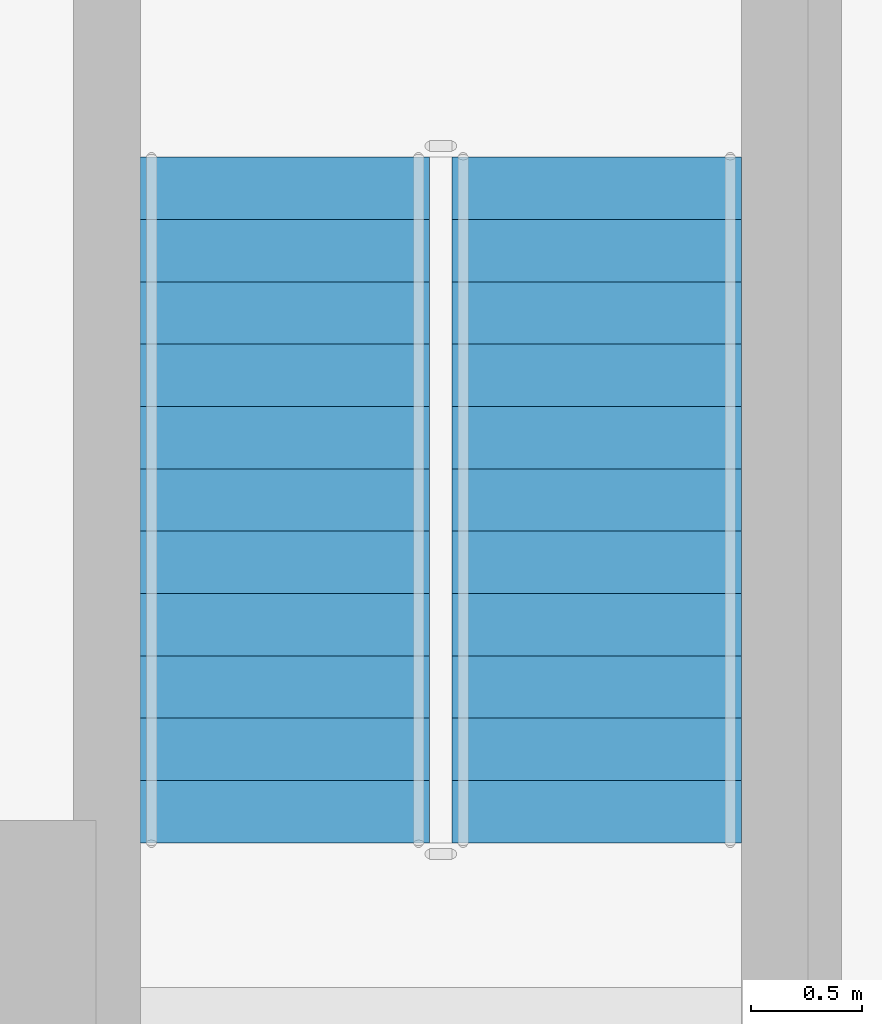
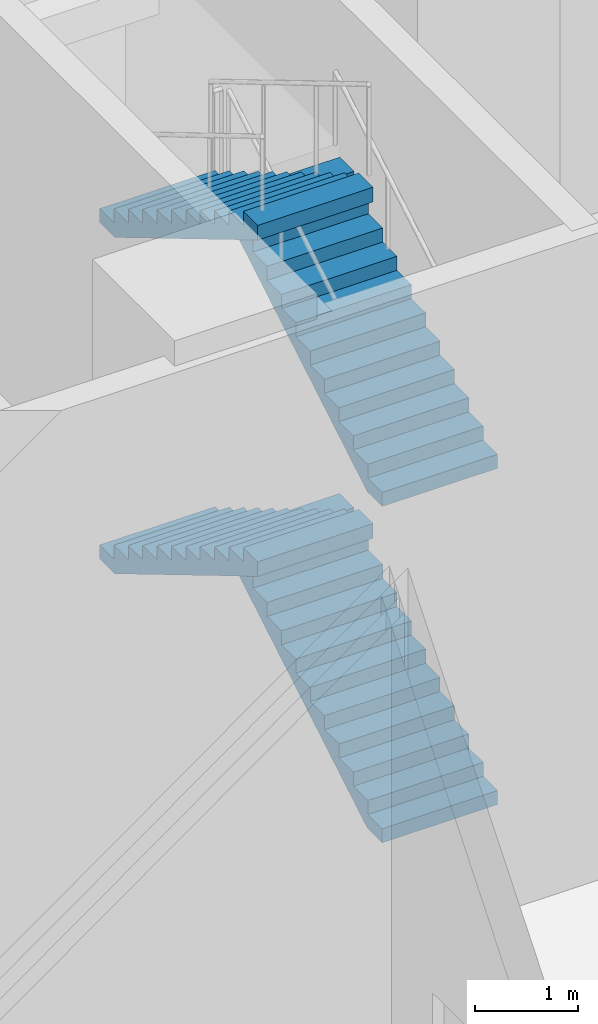
# One storey, part 43 of 54: 4 stair flights, 1 element without a shape of its own.
"""IFC4 building model written with IfcOpenShell, lengths in metres."""

from ifc_helpers import new_model, si_unit, direction, frame, origin, place, context, subcontext, project, spatial, triangles, source, transform, mapped, material, type_object, element, aggregate, save


model = new_model("IFC4")

# Units and contexts
model_context = context("Model", 3, precision=1e-05, world=origin(), true_north=direction((0.0, 1.0)))
body_context = subcontext(model_context, "Body", "Model", "MODEL_VIEW")
ifc_project = project(units=[si_unit("LENGTHUNIT", "METRE"), si_unit("AREAUNIT", "SQUARE_METRE"), si_unit("VOLUMEUNIT", "CUBIC_METRE"), si_unit("PLANEANGLEUNIT", "RADIAN"), si_unit("MASSUNIT", "GRAM", prefix="KILO")], contexts=[model_context])

# Site, building, storey
site_placement = place(None, origin())
site = spatial("IfcSite", under=ifc_project, at=site_placement, CompositionType="ELEMENT")
building_placement = place(site_placement, origin())
building = spatial("IfcBuilding", under=site, at=building_placement, Name="Ogive Portal Towers", CompositionType="ELEMENT")
storey_placement = place(building_placement, origin())
storey = spatial("IfcBuildingStorey", under=building, at=storey_placement, Name="L00", CompositionType="ELEMENT", Elevation=0.0)

# Stair, stair flights
ifc_material = material(Name="Concrete C40/50", Category="concrete")
stair_type = type_object("IfcStairType", Name="INT-STAIR", PredefinedType="HALF_TURN_STAIR", material=ifc_material)
stair_placement = place(storey_placement, origin())
stair = element("IfcStair", 1, at=stair_placement, inside=storey, type_object=stair_type, Name="L00 Exit Stair ST-A3", PredefinedType="HALF_TURN_STAIR")
stair_flight_type = type_object("IfcStairFlightType", Name="INT-FLIGHT", PredefinedType="STRAIGHT", material=ifc_material)
shared_shape = source(origin(), body_context, "Body", "Tessellation", [
    triangles([(0.0, -0.650146484375, 0.0), (0.0, -0.376220703125, 0.0), (0.0, -0.192626953125, 0.0), (0.0, -0.081298828125, 0.0), (0.0, -0.024169921875, 0.0), (0.0, -0.003173828125, 0.0), (0.0, 0.0, 0.0), (0.0, 0.0029296875, 0.0), (0.0, 0.02392578125, 0.0), (0.0, 0.0810546875, 0.0), (0.0, 0.1923828125, 0.0), (0.0, 0.3759765625, 0.0), (0.0, 0.64990234375, 0.0), (0.0, -0.650146484375, 0.166748046875), (0.0, -0.376220703125, 0.166748046875), (0.0, -0.192626953125, 0.166748046875), (0.0, -0.081298828125, 0.166748046875), (0.0, -0.024169921875, 0.166748046875), (0.0, -0.003173828125, 0.166748046875), (0.0, 0.0, 0.166748046875), (0.0, 0.0029296875, 0.166748046875), (0.0, 0.02392578125, 0.166748046875), (0.0, 0.0810546875, 0.166748046875), (0.0, 0.1923828125, 0.166748046875), (0.0, 0.3759765625, 0.166748046875), (0.0, 0.64990234375, 0.166748046875), (0.280029296875, -0.650146484375, 0.166748046875), (0.280029296875, -0.376220703125, 0.166748046875), (0.280029296875, -0.192626953125, 0.166748046875), (0.280029296875, -0.081298828125, 0.166748046875), (0.280029296875, -0.024169921875, 0.166748046875), (0.280029296875, -0.003173828125, 0.166748046875), (0.280029296875, 0.0, 0.166748046875), (0.280029296875, 0.0029296875, 0.166748046875), (0.280029296875, 0.02392578125, 0.166748046875), (0.280029296875, 0.0810546875, 0.166748046875), (0.280029296875, 0.1923828125, 0.166748046875), (0.280029296875, 0.3759765625, 0.166748046875), (0.280029296875, 0.64990234375, 0.166748046875), (0.280029296875, -0.650146484375, 0.333251953125), (0.280029296875, -0.376220703125, 0.333251953125), (0.280029296875, -0.192626953125, 0.333251953125), (0.280029296875, -0.081298828125, 0.333251953125), (0.280029296875, -0.024169921875, 0.333251953125), (0.280029296875, -0.003173828125, 0.333251953125), (0.280029296875, 0.0, 0.333251953125), (0.280029296875, 0.0029296875, 0.333251953125), (0.280029296875, 0.02392578125, 0.333251953125), (0.280029296875, 0.0810546875, 0.333251953125), (0.280029296875, 0.1923828125, 0.333251953125), (0.280029296875, 0.3759765625, 0.333251953125), (0.280029296875, 0.64990234375, 0.333251953125), (0.56005859375, -0.650146484375, 0.333251953125), (0.56005859375, -0.376220703125, 0.333251953125), (0.56005859375, -0.192626953125, 0.333251953125), (0.56005859375, -0.081298828125, 0.333251953125), (0.56005859375, -0.024169921875, 0.333251953125), (0.56005859375, -0.003173828125, 0.333251953125), (0.56005859375, 0.0, 0.333251953125), (0.56005859375, 0.0029296875, 0.333251953125), (0.56005859375, 0.02392578125, 0.333251953125), (0.56005859375, 0.0810546875, 0.333251953125), (0.56005859375, 0.1923828125, 0.333251953125), (0.56005859375, 0.3759765625, 0.333251953125), (0.56005859375, 0.64990234375, 0.333251953125), (0.56005859375, -0.650146484375, 0.5), (0.56005859375, -0.376220703125, 0.5), (0.56005859375, -0.192626953125, 0.5), (0.56005859375, -0.081298828125, 0.5), (0.56005859375, -0.024169921875, 0.5), (0.56005859375, -0.003173828125, 0.5), (0.56005859375, 0.0, 0.5), (0.56005859375, 0.0029296875, 0.5), (0.56005859375, 0.02392578125, 0.5), (0.56005859375, 0.0810546875, 0.5), (0.56005859375, 0.1923828125, 0.5), (0.56005859375, 0.3759765625, 0.5), (0.56005859375, 0.64990234375, 0.5), (0.840087890625, -0.650146484375, 0.5), (0.840087890625, -0.376220703125, 0.5), (0.840087890625, -0.192626953125, 0.5), (0.840087890625, -0.081298828125, 0.5), (0.840087890625, -0.024169921875, 0.5), (0.840087890625, -0.003173828125, 0.5), (0.840087890625, 0.0, 0.5), (0.840087890625, 0.0029296875, 0.5), (0.840087890625, 0.02392578125, 0.5), (0.840087890625, 0.0810546875, 0.5), (0.840087890625, 0.1923828125, 0.5), (0.840087890625, 0.3759765625, 0.5), (0.840087890625, 0.64990234375, 0.5), (0.840087890625, -0.650146484375, 0.666748046875), (0.840087890625, -0.376220703125, 0.666748046875), (0.840087890625, -0.192626953125, 0.666748046875), (0.840087890625, -0.081298828125, 0.666748046875), (0.840087890625, -0.024169921875, 0.666748046875), (0.840087890625, -0.003173828125, 0.666748046875), (0.840087890625, 0.0, 0.666748046875), (0.840087890625, 0.0029296875, 0.666748046875), (0.840087890625, 0.02392578125, 0.666748046875), (0.840087890625, 0.0810546875, 0.666748046875), (0.840087890625, 0.1923828125, 0.666748046875), (0.840087890625, 0.3759765625, 0.666748046875), (0.840087890625, 0.64990234375, 0.666748046875), (1.1201171875, -0.650146484375, 0.666748046875), (1.1201171875, -0.376220703125, 0.666748046875), (1.1201171875, -0.192626953125, 0.666748046875), (1.1201171875, -0.081298828125, 0.666748046875), (1.1201171875, -0.024169921875, 0.666748046875), (1.1201171875, -0.003173828125, 0.666748046875), (1.1201171875, 0.0, 0.666748046875), (1.1201171875, 0.0029296875, 0.666748046875), (1.1201171875, 0.02392578125, 0.666748046875), (1.1201171875, 0.0810546875, 0.666748046875), (1.1201171875, 0.1923828125, 0.666748046875), (1.1201171875, 0.3759765625, 0.666748046875), (1.1201171875, 0.64990234375, 0.666748046875), (1.1201171875, -0.650146484375, 0.833251953125), (1.1201171875, -0.376220703125, 0.833251953125), (1.1201171875, -0.192626953125, 0.833251953125), (1.1201171875, -0.081298828125, 0.833251953125), (1.1201171875, -0.024169921875, 0.833251953125), (1.1201171875, -0.003173828125, 0.833251953125), (1.1201171875, 0.0, 0.833251953125), (1.1201171875, 0.0029296875, 0.833251953125), (1.1201171875, 0.02392578125, 0.833251953125), (1.1201171875, 0.0810546875, 0.833251953125), (1.1201171875, 0.1923828125, 0.833251953125), (1.1201171875, 0.3759765625, 0.833251953125), (1.1201171875, 0.64990234375, 0.833251953125), (1.39990234375, -0.650146484375, 0.833251953125), (1.39990234375, -0.376220703125, 0.833251953125), (1.39990234375, -0.192626953125, 0.833251953125), (1.39990234375, -0.081298828125, 0.833251953125), (1.39990234375, -0.024169921875, 0.833251953125), (1.39990234375, -0.003173828125, 0.833251953125), (1.39990234375, 0.0, 0.833251953125), (1.39990234375, 0.0029296875, 0.833251953125), (1.39990234375, 0.02392578125, 0.833251953125), (1.39990234375, 0.0810546875, 0.833251953125), (1.39990234375, 0.1923828125, 0.833251953125), (1.39990234375, 0.3759765625, 0.833251953125), (1.39990234375, 0.64990234375, 0.833251953125), (1.39990234375, -0.650146484375, 1.0), (1.39990234375, -0.376220703125, 1.0), (1.39990234375, -0.192626953125, 1.0), (1.39990234375, -0.081298828125, 1.0), (1.39990234375, -0.024169921875, 1.0), (1.39990234375, -0.003173828125, 1.0), (1.39990234375, 0.0, 1.0), (1.39990234375, 0.0029296875, 1.0), (1.39990234375, 0.02392578125, 1.0), (1.39990234375, 0.0810546875, 1.0), (1.39990234375, 0.1923828125, 1.0), (1.39990234375, 0.3759765625, 1.0), (1.39990234375, 0.64990234375, 1.0), (1.679931640625, -0.650146484375, 1.0), (1.679931640625, -0.376220703125, 1.0), (1.679931640625, -0.192626953125, 1.0), (1.679931640625, -0.081298828125, 1.0), (1.679931640625, -0.024169921875, 1.0), (1.679931640625, -0.003173828125, 1.0), (1.679931640625, 0.0, 1.0), (1.679931640625, 0.0029296875, 1.0), (1.679931640625, 0.02392578125, 1.0), (1.679931640625, 0.0810546875, 1.0), (1.679931640625, 0.1923828125, 1.0), (1.679931640625, 0.3759765625, 1.0), (1.679931640625, 0.64990234375, 1.0), (1.679931640625, -0.650146484375, 1.166748046875), (1.679931640625, -0.376220703125, 1.166748046875), (1.679931640625, -0.192626953125, 1.166748046875), (1.679931640625, -0.081298828125, 1.166748046875), (1.679931640625, -0.024169921875, 1.166748046875), (1.679931640625, -0.003173828125, 1.166748046875), (1.679931640625, 0.0, 1.166748046875), (1.679931640625, 0.0029296875, 1.166748046875), (1.679931640625, 0.02392578125, 1.166748046875), (1.679931640625, 0.0810546875, 1.166748046875), (1.679931640625, 0.1923828125, 1.166748046875), (1.679931640625, 0.3759765625, 1.166748046875), (1.679931640625, 0.64990234375, 1.166748046875), (1.9599609375, -0.650146484375, 1.166748046875), (1.9599609375, -0.376220703125, 1.166748046875), (1.9599609375, -0.192626953125, 1.166748046875), (1.9599609375, -0.081298828125, 1.166748046875), (1.9599609375, -0.024169921875, 1.166748046875), (1.9599609375, -0.003173828125, 1.166748046875), (1.9599609375, 0.0, 1.166748046875), (1.9599609375, 0.0029296875, 1.166748046875), (1.9599609375, 0.02392578125, 1.166748046875), (1.9599609375, 0.0810546875, 1.166748046875), (1.9599609375, 0.1923828125, 1.166748046875), (1.9599609375, 0.3759765625, 1.166748046875), (1.9599609375, 0.64990234375, 1.166748046875), (1.9599609375, -0.650146484375, 1.333251953125), (1.9599609375, -0.376220703125, 1.333251953125), (1.9599609375, -0.192626953125, 1.333251953125), (1.9599609375, -0.081298828125, 1.333251953125), (1.9599609375, -0.024169921875, 1.333251953125), (1.9599609375, -0.003173828125, 1.333251953125), (1.9599609375, 0.0, 1.333251953125), (1.9599609375, 0.0029296875, 1.333251953125), (1.9599609375, 0.02392578125, 1.333251953125), (1.9599609375, 0.0810546875, 1.333251953125), (1.9599609375, 0.1923828125, 1.333251953125), (1.9599609375, 0.3759765625, 1.333251953125), (1.9599609375, 0.64990234375, 1.333251953125), (2.239990234375, -0.650146484375, 1.333251953125), (2.239990234375, -0.376220703125, 1.333251953125), (2.239990234375, -0.192626953125, 1.333251953125), (2.239990234375, -0.081298828125, 1.333251953125), (2.239990234375, -0.024169921875, 1.333251953125), (2.239990234375, -0.003173828125, 1.333251953125), (2.239990234375, 0.0, 1.333251953125), (2.239990234375, 0.0029296875, 1.333251953125), (2.239990234375, 0.02392578125, 1.333251953125), (2.239990234375, 0.0810546875, 1.333251953125), (2.239990234375, 0.1923828125, 1.333251953125), (2.239990234375, 0.3759765625, 1.333251953125), (2.239990234375, 0.64990234375, 1.333251953125), (2.239990234375, -0.650146484375, 1.5), (2.239990234375, -0.376220703125, 1.5), (2.239990234375, -0.192626953125, 1.5), (2.239990234375, -0.081298828125, 1.5), (2.239990234375, -0.024169921875, 1.5), (2.239990234375, -0.003173828125, 1.5), (2.239990234375, 0.0, 1.5), (2.239990234375, 0.0029296875, 1.5), (2.239990234375, 0.02392578125, 1.5), (2.239990234375, 0.0810546875, 1.5), (2.239990234375, 0.1923828125, 1.5), (2.239990234375, 0.3759765625, 1.5), (2.239990234375, 0.64990234375, 1.5), (2.52001953125, -0.650146484375, 1.5), (2.52001953125, -0.376220703125, 1.5), (2.52001953125, -0.192626953125, 1.5), (2.52001953125, -0.081298828125, 1.5), (2.52001953125, -0.024169921875, 1.5), (2.52001953125, -0.003173828125, 1.5), (2.52001953125, 0.0, 1.5), (2.52001953125, 0.0029296875, 1.5), (2.52001953125, 0.02392578125, 1.5), (2.52001953125, 0.0810546875, 1.5), (2.52001953125, 0.1923828125, 1.5), (2.52001953125, 0.3759765625, 1.5), (2.52001953125, 0.64990234375, 1.5), (2.52001953125, -0.650146484375, 1.666748046875), (2.52001953125, -0.376220703125, 1.666748046875), (2.52001953125, -0.192626953125, 1.666748046875), (2.52001953125, -0.081298828125, 1.666748046875), (2.52001953125, -0.024169921875, 1.666748046875), (2.52001953125, -0.003173828125, 1.666748046875), (2.52001953125, 0.0, 1.666748046875), (2.52001953125, 0.0029296875, 1.666748046875), (2.52001953125, 0.02392578125, 1.666748046875), (2.52001953125, 0.0810546875, 1.666748046875), (2.52001953125, 0.1923828125, 1.666748046875), (2.52001953125, 0.3759765625, 1.666748046875), (2.52001953125, 0.64990234375, 1.666748046875), (2.800048828125, -0.650146484375, 1.666748046875), (2.800048828125, -0.376220703125, 1.666748046875), (2.800048828125, -0.192626953125, 1.666748046875), (2.800048828125, -0.081298828125, 1.666748046875), (2.800048828125, -0.024169921875, 1.666748046875), (2.800048828125, -0.003173828125, 1.666748046875), (2.800048828125, 0.0, 1.666748046875), (2.800048828125, 0.0029296875, 1.666748046875), (2.800048828125, 0.02392578125, 1.666748046875), (2.800048828125, 0.0810546875, 1.666748046875), (2.800048828125, 0.1923828125, 1.666748046875), (2.800048828125, 0.3759765625, 1.666748046875), (2.800048828125, 0.64990234375, 1.666748046875), (2.800048828125, -0.650146484375, 1.833251953125), (2.800048828125, -0.376220703125, 1.833251953125), (2.800048828125, -0.192626953125, 1.833251953125), (2.800048828125, -0.081298828125, 1.833251953125), (2.800048828125, -0.024169921875, 1.833251953125), (2.800048828125, -0.003173828125, 1.833251953125), (2.800048828125, 0.0, 1.833251953125), (2.800048828125, 0.0029296875, 1.833251953125), (2.800048828125, 0.02392578125, 1.833251953125), (2.800048828125, 0.0810546875, 1.833251953125), (2.800048828125, 0.1923828125, 1.833251953125), (2.800048828125, 0.3759765625, 1.833251953125), (2.800048828125, 0.64990234375, 1.833251953125), (3.080078125, -0.650146484375, 1.833251953125), (3.080078125, -0.376220703125, 1.833251953125), (3.080078125, -0.192626953125, 1.833251953125), (3.080078125, -0.081298828125, 1.833251953125), (3.080078125, -0.024169921875, 1.833251953125), (3.080078125, -0.003173828125, 1.833251953125), (3.080078125, 0.0, 1.833251953125), (3.080078125, 0.0029296875, 1.833251953125), (3.080078125, 0.02392578125, 1.833251953125), (3.080078125, 0.0810546875, 1.833251953125), (3.080078125, 0.1923828125, 1.833251953125), (3.080078125, 0.3759765625, 1.833251953125), (3.080078125, 0.64990234375, 1.833251953125), (3.080078125, -0.650146484375, 1.658935546875), (3.080078125, -0.376220703125, 1.658935546875), (3.080078125, -0.192626953125, 1.658935546875), (3.080078125, -0.081298828125, 1.658935546875), (3.080078125, -0.024169921875, 1.658935546875), (3.080078125, -0.003173828125, 1.658935546875), (3.080078125, 0.0, 1.658935546875), (3.080078125, 0.0029296875, 1.658935546875), (3.080078125, 0.02392578125, 1.658935546875), (3.080078125, 0.0810546875, 1.658935546875), (3.080078125, 0.1923828125, 1.658935546875), (3.080078125, 0.3759765625, 1.658935546875), (3.080078125, 0.64990234375, 1.658935546875), (0.29296875, -0.650146484375, 0.0), (0.29296875, -0.376220703125, 0.0), (0.29296875, -0.192626953125, 0.0), (0.29296875, -0.081298828125, 0.0), (0.29296875, -0.024169921875, 0.0), (0.29296875, -0.003173828125, 0.0), (0.29296875, 0.0, 0.0), (0.29296875, 0.0029296875, 0.0), (0.29296875, 0.02392578125, 0.0), (0.29296875, 0.0810546875, 0.0), (0.29296875, 0.1923828125, 0.0), (0.29296875, 0.3759765625, 0.0), (0.29296875, 0.64990234375, 0.0)], [[1, 14, 15], [1, 15, 2], [2, 15, 16], [2, 16, 3], [3, 16, 17], [3, 17, 4], [4, 17, 18], [4, 18, 5], [5, 18, 19], [5, 19, 6], [6, 19, 20], [6, 20, 7], [7, 20, 21], [7, 21, 8], [8, 21, 22], [8, 22, 9], [9, 22, 23], [9, 23, 10], [10, 23, 24], [10, 24, 11], [11, 24, 25], [11, 25, 12], [12, 25, 26], [12, 26, 13], [14, 27, 28], [14, 28, 15], [15, 28, 29], [15, 29, 16], [16, 29, 30], [16, 30, 17], [17, 30, 31], [17, 31, 18], [18, 31, 32], [18, 32, 19], [19, 32, 33], [19, 33, 20], [20, 33, 34], [20, 34, 21], [21, 34, 35], [21, 35, 22], [22, 35, 36], [22, 36, 23], [23, 36, 37], [23, 37, 24], [24, 37, 38], [24, 38, 25], [25, 38, 39], [25, 39, 26], [27, 40, 41], [27, 41, 28], [28, 41, 42], [28, 42, 29], [29, 42, 43], [29, 43, 30], [30, 43, 44], [30, 44, 31], [31, 44, 45], [31, 45, 32], [32, 45, 46], [32, 46, 33], [33, 46, 47], [33, 47, 34], [34, 47, 48], [34, 48, 35], [35, 48, 49], [35, 49, 36], [36, 49, 50], [36, 50, 37], [37, 50, 51], [37, 51, 38], [38, 51, 52], [38, 52, 39], [40, 53, 54], [40, 54, 41], [41, 54, 55], [41, 55, 42], [42, 55, 56], [42, 56, 43], [43, 56, 57], [43, 57, 44], [44, 57, 58], [44, 58, 45], [45, 58, 59], [45, 59, 46], [46, 59, 60], [46, 60, 47], [47, 60, 61], [47, 61, 48], [48, 61, 62], [48, 62, 49], [49, 62, 63], [49, 63, 50], [50, 63, 64], [50, 64, 51], [51, 64, 65], [51, 65, 52], [53, 66, 67], [53, 67, 54], [54, 67, 68], [54, 68, 55], [55, 68, 69], [55, 69, 56], [56, 69, 70], [56, 70, 57], [57, 70, 71], [57, 71, 58], [58, 71, 72], [58, 72, 59], [59, 72, 73], [59, 73, 60], [60, 73, 74], [60, 74, 61], [61, 74, 75], [61, 75, 62], [62, 75, 76], [62, 76, 63], [63, 76, 77], [63, 77, 64], [64, 77, 78], [64, 78, 65], [66, 79, 80], [66, 80, 67], [67, 80, 81], [67, 81, 68], [68, 81, 82], [68, 82, 69], [69, 82, 83], [69, 83, 70], [70, 83, 84], [70, 84, 71], [71, 84, 85], [71, 85, 72], [72, 85, 86], [72, 86, 73], [73, 86, 87], [73, 87, 74], [74, 87, 88], [74, 88, 75], [75, 88, 89], [75, 89, 76], [76, 89, 90], [76, 90, 77], [77, 90, 91], [77, 91, 78], [79, 92, 93], [79, 93, 80], [80, 93, 94], [80, 94, 81], [81, 94, 95], [81, 95, 82], [82, 95, 96], [82, 96, 83], [83, 96, 97], [83, 97, 84], [84, 97, 98], [84, 98, 85], [85, 98, 99], [85, 99, 86], [86, 99, 100], [86, 100, 87], [87, 100, 101], [87, 101, 88], [88, 101, 102], [88, 102, 89], [89, 102, 103], [89, 103, 90], [90, 103, 104], [90, 104, 91], [92, 105, 106], [92, 106, 93], [93, 106, 107], [93, 107, 94], [94, 107, 108], [94, 108, 95], [95, 108, 109], [95, 109, 96], [96, 109, 110], [96, 110, 97], [97, 110, 111], [97, 111, 98], [98, 111, 112], [98, 112, 99], [99, 112, 113], [99, 113, 100], [100, 113, 114], [100, 114, 101], [101, 114, 115], [101, 115, 102], [102, 115, 116], [102, 116, 103], [103, 116, 117], [103, 117, 104], [105, 118, 119], [105, 119, 106], [106, 119, 120], [106, 120, 107], [107, 120, 121], [107, 121, 108], [108, 121, 122], [108, 122, 109], [109, 122, 123], [109, 123, 110], [110, 123, 124], [110, 124, 111], [111, 124, 125], [111, 125, 112], [112, 125, 126], [112, 126, 113], [113, 126, 127], [113, 127, 114], [114, 127, 128], [114, 128, 115], [115, 128, 129], [115, 129, 116], [116, 129, 130], [116, 130, 117], [118, 131, 132], [118, 132, 119], [119, 132, 133], [119, 133, 120], [120, 133, 134], [120, 134, 121], [121, 134, 135], [121, 135, 122], [122, 135, 136], [122, 136, 123], [123, 136, 137], [123, 137, 124], [124, 137, 138], [124, 138, 125], [125, 138, 139], [125, 139, 126], [126, 139, 140], [126, 140, 127], [127, 140, 141], [127, 141, 128], [128, 141, 142], [128, 142, 129], [129, 142, 143], [129, 143, 130], [131, 144, 145], [131, 145, 132], [132, 145, 146], [132, 146, 133], [133, 146, 147], [133, 147, 134], [134, 147, 148], [134, 148, 135], [135, 148, 149], [135, 149, 136], [136, 149, 150], [136, 150, 137], [137, 150, 151], [137, 151, 138], [138, 151, 152], [138, 152, 139], [139, 152, 153], [139, 153, 140], [140, 153, 154], [140, 154, 141], [141, 154, 155], [141, 155, 142], [142, 155, 156], [142, 156, 143], [144, 157, 158], [144, 158, 145], [145, 158, 159], [145, 159, 146], [146, 159, 160], [146, 160, 147], [147, 160, 161], [147, 161, 148], [148, 161, 162], [148, 162, 149], [149, 162, 163], [149, 163, 150], [150, 163, 164], [150, 164, 151], [151, 164, 165], [151, 165, 152], [152, 165, 166], [152, 166, 153], [153, 166, 167], [153, 167, 154], [154, 167, 168], [154, 168, 155], [155, 168, 169], [155, 169, 156], [157, 170, 171], [157, 171, 158], [158, 171, 172], [158, 172, 159], [159, 172, 173], [159, 173, 160], [160, 173, 174], [160, 174, 161], [161, 174, 175], [161, 175, 162], [162, 175, 176], [162, 176, 163], [163, 176, 177], [163, 177, 164], [164, 177, 178], [164, 178, 165], [165, 178, 179], [165, 179, 166], [166, 179, 180], [166, 180, 167], [167, 180, 181], [167, 181, 168], [168, 181, 182], [168, 182, 169], [170, 183, 184], [170, 184, 171], [171, 184, 185], [171, 185, 172], [172, 185, 186], [172, 186, 173], [173, 186, 187], [173, 187, 174], [174, 187, 188], [174, 188, 175], [175, 188, 189], [175, 189, 176], [176, 189, 190], [176, 190, 177], [177, 190, 191], [177, 191, 178], [178, 191, 192], [178, 192, 179], [179, 192, 193], [179, 193, 180], [180, 193, 194], [180, 194, 181], [181, 194, 195], [181, 195, 182], [183, 196, 197], [183, 197, 184], [184, 197, 198], [184, 198, 185], [185, 198, 199], [185, 199, 186], [186, 199, 200], [186, 200, 187], [187, 200, 201], [187, 201, 188], [188, 201, 202], [188, 202, 189], [189, 202, 203], [189, 203, 190], [190, 203, 204], [190, 204, 191], [191, 204, 205], [191, 205, 192], [192, 205, 206], [192, 206, 193], [193, 206, 207], [193, 207, 194], [194, 207, 208], [194, 208, 195], [196, 209, 210], [196, 210, 197], [197, 210, 211], [197, 211, 198], [198, 211, 212], [198, 212, 199], [199, 212, 213], [199, 213, 200], [200, 213, 214], [200, 214, 201], [201, 214, 215], [201, 215, 202], [202, 215, 216], [202, 216, 203], [203, 216, 217], [203, 217, 204], [204, 217, 218], [204, 218, 205], [205, 218, 219], [205, 219, 206], [206, 219, 220], [206, 220, 207], [207, 220, 221], [207, 221, 208], [209, 222, 223], [209, 223, 210], [210, 223, 224], [210, 224, 211], [211, 224, 225], [211, 225, 212], [212, 225, 226], [212, 226, 213], [213, 226, 227], [213, 227, 214], [214, 227, 228], [214, 228, 215], [215, 228, 229], [215, 229, 216], [216, 229, 230], [216, 230, 217], [217, 230, 231], [217, 231, 218], [218, 231, 232], [218, 232, 219], [219, 232, 233], [219, 233, 220], [220, 233, 234], [220, 234, 221], [222, 235, 236], [222, 236, 223], [223, 236, 237], [223, 237, 224], [224, 237, 238], [224, 238, 225], [225, 238, 239], [225, 239, 226], [226, 239, 240], [226, 240, 227], [227, 240, 241], [227, 241, 228], [228, 241, 242], [228, 242, 229], [229, 242, 243], [229, 243, 230], [230, 243, 244], [230, 244, 231], [231, 244, 245], [231, 245, 232], [232, 245, 246], [232, 246, 233], [233, 246, 247], [233, 247, 234], [235, 248, 249], [235, 249, 236], [236, 249, 250], [236, 250, 237], [237, 250, 251], [237, 251, 238], [238, 251, 252], [238, 252, 239], [239, 252, 253], [239, 253, 240], [240, 253, 254], [240, 254, 241], [241, 254, 255], [241, 255, 242], [242, 255, 256], [242, 256, 243], [243, 256, 257], [243, 257, 244], [244, 257, 258], [244, 258, 245], [245, 258, 259], [245, 259, 246], [246, 259, 260], [246, 260, 247], [248, 261, 262], [248, 262, 249], [249, 262, 263], [249, 263, 250], [250, 263, 264], [250, 264, 251], [251, 264, 265], [251, 265, 252], [252, 265, 266], [252, 266, 253], [253, 266, 267], [253, 267, 254], [254, 267, 268], [254, 268, 255], [255, 268, 269], [255, 269, 256], [256, 269, 270], [256, 270, 257], [257, 270, 271], [257, 271, 258], [258, 271, 272], [258, 272, 259], [259, 272, 273], [259, 273, 260], [261, 274, 275], [261, 275, 262], [262, 275, 276], [262, 276, 263], [263, 276, 277], [263, 277, 264], [264, 277, 278], [264, 278, 265], [265, 278, 279], [265, 279, 266], [266, 279, 280], [266, 280, 267], [267, 280, 281], [267, 281, 268], [268, 281, 282], [268, 282, 269], [269, 282, 283], [269, 283, 270], [270, 283, 284], [270, 284, 271], [271, 284, 285], [271, 285, 272], [272, 285, 286], [272, 286, 273], [274, 287, 288], [274, 288, 275], [275, 288, 289], [275, 289, 276], [276, 289, 290], [276, 290, 277], [277, 290, 291], [277, 291, 278], [278, 291, 292], [278, 292, 279], [279, 292, 293], [279, 293, 280], [280, 293, 294], [280, 294, 281], [281, 294, 295], [281, 295, 282], [282, 295, 296], [282, 296, 283], [283, 296, 297], [283, 297, 284], [284, 297, 298], [284, 298, 285], [285, 298, 299], [285, 299, 286], [287, 300, 301], [287, 301, 288], [288, 301, 302], [288, 302, 289], [289, 302, 303], [289, 303, 290], [290, 303, 304], [290, 304, 291], [291, 304, 305], [291, 305, 292], [292, 305, 306], [292, 306, 293], [293, 306, 307], [293, 307, 294], [294, 307, 308], [294, 308, 295], [295, 308, 309], [295, 309, 296], [296, 309, 310], [296, 310, 297], [297, 310, 311], [297, 311, 298], [298, 311, 312], [298, 312, 299], [300, 313, 314], [300, 314, 301], [301, 314, 315], [301, 315, 302], [302, 315, 316], [302, 316, 303], [303, 316, 317], [303, 317, 304], [304, 317, 318], [304, 318, 305], [305, 318, 319], [305, 319, 306], [306, 319, 320], [306, 320, 307], [307, 320, 321], [307, 321, 308], [308, 321, 322], [308, 322, 309], [309, 322, 323], [309, 323, 310], [310, 323, 324], [310, 324, 311], [311, 324, 325], [311, 325, 312], [313, 1, 2], [313, 2, 314], [314, 2, 3], [314, 3, 315], [315, 3, 4], [315, 4, 316], [316, 4, 5], [316, 5, 317], [317, 5, 6], [317, 6, 318], [318, 6, 7], [318, 7, 319], [319, 7, 8], [319, 8, 320], [320, 8, 9], [320, 9, 321], [321, 9, 10], [321, 10, 322], [322, 10, 11], [322, 11, 323], [323, 11, 12], [323, 12, 324], [324, 12, 13], [324, 13, 325], [1, 313, 300], [13, 312, 325], [300, 287, 274], [312, 286, 299], [300, 274, 261], [312, 273, 286], [300, 261, 248], [312, 260, 273], [300, 248, 235], [312, 247, 260], [235, 222, 209], [247, 221, 234], [300, 235, 209], [312, 221, 247], [209, 196, 183], [221, 195, 208], [300, 209, 183], [312, 195, 221], [183, 170, 157], [195, 169, 182], [300, 183, 157], [312, 169, 195], [157, 144, 131], [169, 143, 156], [300, 157, 131], [312, 143, 169], [131, 118, 105], [143, 117, 130], [300, 131, 105], [312, 117, 143], [105, 92, 79], [117, 91, 104], [300, 105, 79], [312, 91, 117], [79, 66, 53], [91, 65, 78], [300, 79, 53], [312, 65, 91], [1, 300, 53], [13, 65, 312], [53, 40, 27], [65, 39, 52], [1, 53, 27], [13, 39, 65], [27, 14, 1], [39, 13, 26]], closed=True),
])
stair_flight_1_placement = place(storey_placement, frame((43.550048828125, 67.199951171875, 0.0), z_axis=(0.0, 0.0, 1.0), x_axis=(0.0, 1.0, 0.0)))
stair_flight_1 = element("IfcStairFlight", 2, at=stair_flight_1_placement, type_object=stair_flight_type, Name="ST-A3 flight 1", NumberOfRisers=12, NumberOfTreads=11, PredefinedType="STRAIGHT", RiserHeight=0.166666667, TreadLength=0.28, context=body_context, shape_type="MappedRepresentation", body=[
    mapped(shared_shape, transform((0.0, 0.0, 0.0), scale=1.0)),
])
stair_flight_2_placement = place(storey_placement, frame((42.14990234375, 70.280029296875, 2.0), z_axis=(0.0, 0.0, 1.0), x_axis=(0.0, -1.0, 0.0)))
stair_flight_2 = element("IfcStairFlight", 3, at=stair_flight_2_placement, type_object=stair_flight_type, Name="ST-A3 flight 2", NumberOfRisers=12, NumberOfTreads=11, PredefinedType="STRAIGHT", RiserHeight=0.166666667, TreadLength=0.28, context=body_context, shape_type="MappedRepresentation", body=[
    mapped(shared_shape, transform((0.0, 0.0, 0.0), scale=1.0)),
])
stair_flight_3_placement = place(storey_placement, frame((43.550048828125, 67.199951171875, 4.0), z_axis=(0.0, 0.0, 1.0), x_axis=(0.0, 1.0, 0.0)))
stair_flight_3 = element("IfcStairFlight", 4, at=stair_flight_3_placement, type_object=stair_flight_type, Name="ST-A3 flight 3", NumberOfRisers=12, NumberOfTreads=11, PredefinedType="STRAIGHT", RiserHeight=0.166666667, TreadLength=0.28, context=body_context, shape_type="MappedRepresentation", body=[
    mapped(shared_shape, transform((0.0, 0.0, 0.0), scale=1.0)),
])
stair_flight_4_placement = place(storey_placement, frame((42.14990234375, 70.280029296875, 6.0), z_axis=(0.0, 0.0, 1.0), x_axis=(0.0, -1.0, 0.0)))
stair_flight_4 = element("IfcStairFlight", 5, at=stair_flight_4_placement, type_object=stair_flight_type, Name="ST-A3 flight 4", NumberOfRisers=12, NumberOfTreads=11, PredefinedType="STRAIGHT", RiserHeight=0.166666667, TreadLength=0.28, context=body_context, shape_type="MappedRepresentation", body=[
    mapped(shared_shape, transform((0.0, 0.0, 0.0), scale=1.0)),
])
aggregate(stair, [stair_flight_1, stair_flight_2, stair_flight_3, stair_flight_4])

save(model, "model.ifc")
